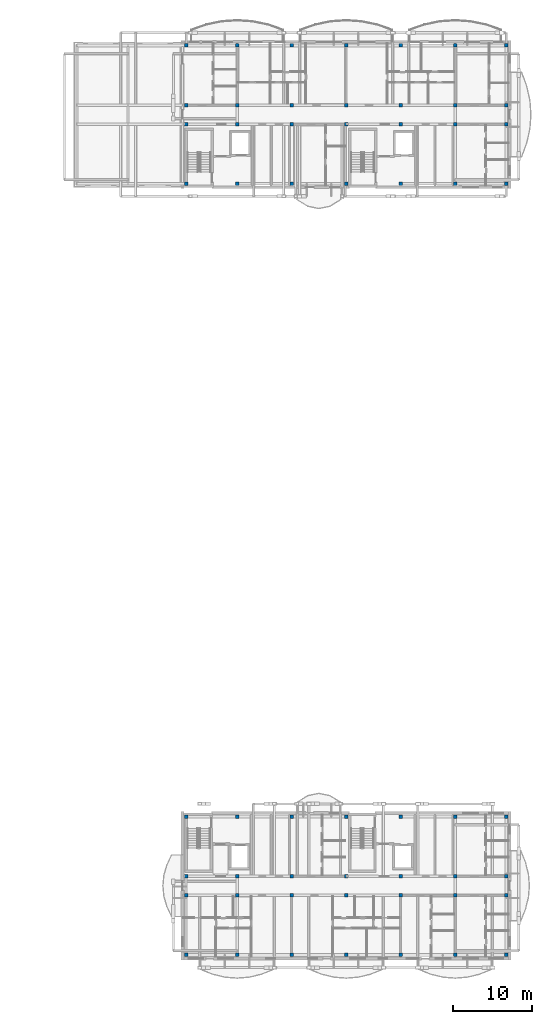
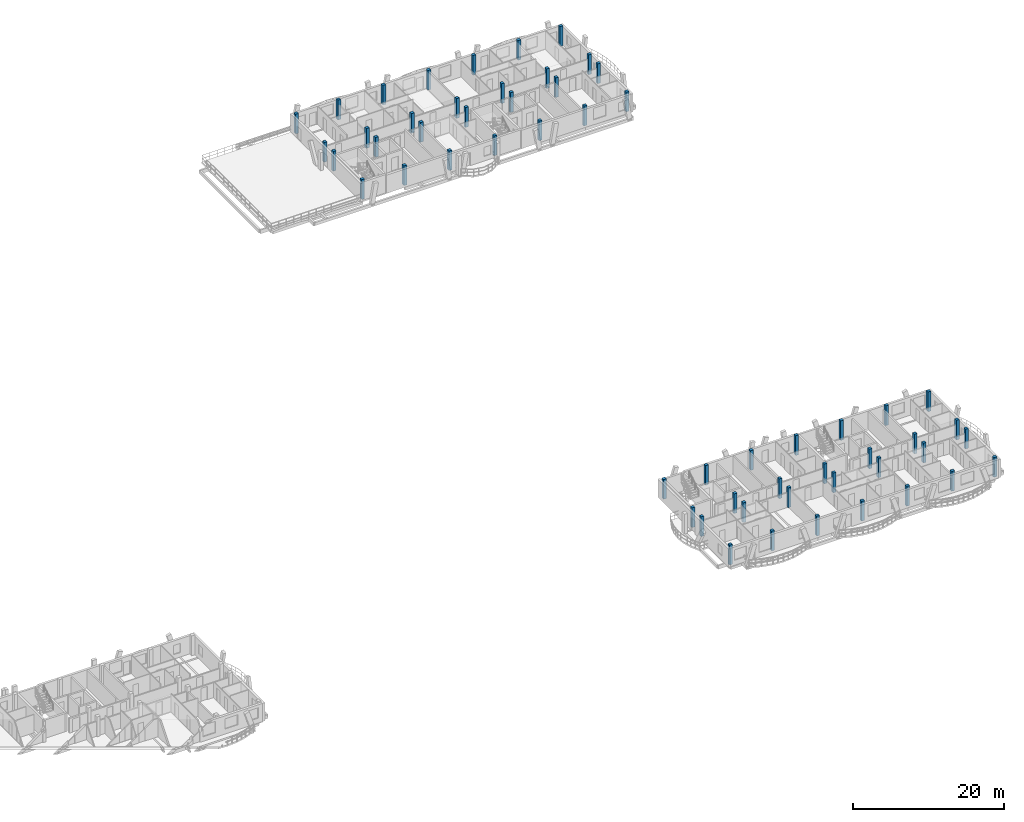
# One storey, part 2 of 44: 56 columns.
"""IFC4 building model written with IfcOpenShell, lengths in metres."""

from ifc_helpers import new_model, si_unit, direction, frame, origin, origin_2d, place, context, subcontext, project, spatial, rectangle, extrude, material, material_profile, profile_set, type_object, element, save


model = new_model("IFC4")

# Units and contexts
model_context = context("Model", 3, precision=1e-05, world=origin(), true_north=direction((0.0, 1.0)))
body_context = subcontext(model_context, "Body", "Model", "MODEL_VIEW")
ifc_project = project(units=[si_unit("LENGTHUNIT", "METRE"), si_unit("AREAUNIT", "SQUARE_METRE"), si_unit("VOLUMEUNIT", "CUBIC_METRE"), si_unit("PLANEANGLEUNIT", "RADIAN"), si_unit("MASSUNIT", "GRAM", prefix="KILO")], contexts=[model_context])

# Site, building, storey
site_placement = place(None, origin())
site = spatial("IfcSite", under=ifc_project, at=site_placement, CompositionType="ELEMENT")
building_placement = place(site_placement, origin())
building = spatial("IfcBuilding", under=site, at=building_placement, Name="Zavelmont Quarter", CompositionType="ELEMENT")
storey_placement = place(building_placement, frame((0.0, 0.0, 20.800048828125)))
storey = spatial("IfcBuildingStorey", under=building, at=storey_placement, Name="L06", CompositionType="ELEMENT", Elevation=20.800048828125)

# Columns
ifc_material = material(Name="Concrete C35/45", Category="concrete")
ifc_material_profile = material_profile(ifc_material, rectangle(XDim=0.449951171875, YDim=0.449951171875, at=origin_2d()), Name="RC450X450")
ifc_profile_set = profile_set([ifc_material_profile], Name="Concrete C35/45")
column_type = type_object("IfcColumnType", Name="CL04", PredefinedType="COLUMN", material=ifc_profile_set)
for number, where, z_axis, x_axis, name in (
    (1, (127.0400390625, 98.0400390625, 0.0), (0.0, 0.0, 1.0), (1.0, 0.0, 0.0), "L06 column CL04 at 19/P"),
    (2, (127.0400390625, 105.60009765625, 0.0), (0.0, 0.0, 1.0), (1.0, 0.0, 0.0), "L06 column CL04 at 19/Q"),
    (3, (127.0400390625, 108.0, 0.0), (0.0, 0.0, 1.0), (1.0, 0.0, 0.0), "L06 column CL04 at 19/R"),
    (4, (127.0400390625, 115.56005859375, 0.0), (0.0, 0.0, 1.0), (1.0, 0.0, 0.0), "L06 column CL04 at 19/S"),
    (5, (133.5, 98.0400390625, 0.0), (0.0, 0.0, 1.0), (1.0, 0.0, 0.0), "L06 column CL04 at 20/P"),
    (6, (133.5, 105.60009765625, 0.0), (0.0, 0.0, 1.0), (1.0, 0.0, 0.0), "L06 column CL04 at 20/Q"),
    (7, (133.5, 108.0, 0.0), (0.0, 0.0, 1.0), (1.0, 0.0, 0.0), "L06 column CL04 at 20/R"),
    (8, (133.5, 115.56005859375, 0.0), (0.0, 0.0, 1.0), (1.0, 0.0, 0.0), "L06 column CL04 at 20/S"),
    (9, (140.39990234375, 98.0400390625, 0.0), (0.0, 0.0, 1.0), (1.0, 0.0, 0.0), "L06 column CL04 at 21/P"),
    (10, (140.39990234375, 105.60009765625, 0.0), (0.0, 0.0, 1.0), (1.0, 0.0, 0.0), "L06 column CL04 at 21/Q"),
    (11, (140.39990234375, 108.0, 0.0), (0.0, 0.0, 1.0), (1.0, 0.0, 0.0), "L06 column CL04 at 21/R"),
    (12, (140.39990234375, 115.56005859375, 0.0), (0.0, 0.0, 1.0), (1.0, 0.0, 0.0), "L06 column CL04 at 21/S"),
    (13, (147.300048828125, 98.0400390625, 0.0), (0.0, 0.0, 1.0), (1.0, 0.0, 0.0), "L06 column CL04 at 22/P"),
    (14, (147.300048828125, 105.60009765625, 0.0), (0.0, 0.0, 1.0), (1.0, 0.0, 0.0), "L06 column CL04 at 22/Q"),
    (15, (147.300048828125, 108.0, 0.0), (0.0, 0.0, 1.0), (1.0, 0.0, 0.0), "L06 column CL04 at 22/R"),
    (16, (147.300048828125, 115.56005859375, 0.0), (0.0, 0.0, 1.0), (1.0, 0.0, 0.0), "L06 column CL04 at 22/S"),
    (17, (154.199951171875, 98.0400390625, 0.0), (0.0, 0.0, 1.0), (1.0, 0.0, 0.0), "L06 column CL04 at 23/P"),
    (18, (154.199951171875, 105.60009765625, 0.0), (0.0, 0.0, 1.0), (1.0, 0.0, 0.0), "L06 column CL04 at 23/Q"),
    (19, (154.199951171875, 108.0, 0.0), (0.0, 0.0, 1.0), (1.0, 0.0, 0.0), "L06 column CL04 at 23/R"),
    (20, (154.199951171875, 115.56005859375, 0.0), (0.0, 0.0, 1.0), (1.0, 0.0, 0.0), "L06 column CL04 at 23/S"),
    (21, (161.10009765625, 98.0400390625, 0.0), (0.0, 0.0, 1.0), (1.0, 0.0, 0.0), "L06 column CL04 at 24/P"),
    (22, (161.10009765625, 105.60009765625, 0.0), (0.0, 0.0, 1.0), (1.0, 0.0, 0.0), "L06 column CL04 at 24/Q"),
    (23, (161.10009765625, 108.0, 0.0), (0.0, 0.0, 1.0), (1.0, 0.0, 0.0), "L06 column CL04 at 24/R"),
    (24, (161.10009765625, 115.56005859375, 0.0), (0.0, 0.0, 1.0), (1.0, 0.0, 0.0), "L06 column CL04 at 24/S"),
    (25, (167.56005859375, 98.0400390625, 0.0), (0.0, 0.0, 1.0), (1.0, 0.0, 0.0), "L06 column CL04 at 25/P"),
    (26, (167.56005859375, 105.60009765625, 0.0), (0.0, 0.0, 1.0), (1.0, 0.0, 0.0), "L06 column CL04 at 25/Q"),
    (27, (167.56005859375, 108.0, 0.0), (0.0, 0.0, 1.0), (1.0, 0.0, 0.0), "L06 column CL04 at 25/R"),
    (28, (167.56005859375, 115.56005859375, 0.0), (0.0, 0.0, 1.0), (1.0, 0.0, 0.0), "L06 column CL04 at 25/S"),
    (29, (127.0400390625, 0.43994140625, 0.0), (0.0, 0.0, 1.0), (1.0, 0.0, 0.0), "L06 column CL04 at 19/A"),
    (30, (127.0400390625, 8.0, 0.0), (0.0, 0.0, 1.0), (1.0, 0.0, 0.0), "L06 column CL04 at 19/B"),
    (31, (127.0400390625, 10.39990234375, 0.0), (0.0, 0.0, 1.0), (1.0, 0.0, 0.0), "L06 column CL04 at 19/C"),
    (32, (127.0400390625, 17.9599609375, 0.0), (0.0, 0.0, 1.0), (1.0, 0.0, 0.0), "L06 column CL04 at 19/D"),
    (33, (133.5, 0.43994140625, 0.0), (0.0, 0.0, 1.0), (1.0, 0.0, 0.0), "L06 column CL04 at 20/A"),
    (34, (133.5, 8.0, 0.0), (0.0, 0.0, 1.0), (1.0, 0.0, 0.0), "L06 column CL04 at 20/B"),
    (35, (133.5, 10.39990234375, 0.0), (0.0, 0.0, 1.0), (1.0, 0.0, 0.0), "L06 column CL04 at 20/C"),
    (36, (133.5, 17.9599609375, 0.0), (0.0, 0.0, 1.0), (1.0, 0.0, 0.0), "L06 column CL04 at 20/D"),
    (37, (140.39990234375, 0.43994140625, 0.0), (0.0, 0.0, 1.0), (1.0, 0.0, 0.0), "L06 column CL04 at 21/A"),
    (38, (140.39990234375, 8.0, 0.0), (0.0, 0.0, 1.0), (1.0, 0.0, 0.0), "L06 column CL04 at 21/B"),
    (39, (140.39990234375, 10.39990234375, 0.0), (0.0, 0.0, 1.0), (1.0, 0.0, 0.0), "L06 column CL04 at 21/C"),
    (40, (140.39990234375, 17.9599609375, 0.0), (0.0, 0.0, 1.0), (1.0, 0.0, 0.0), "L06 column CL04 at 21/D"),
    (41, (147.300048828125, 0.43994140625, 0.0), (0.0, 0.0, 1.0), (1.0, 0.0, 0.0), "L06 column CL04 at 22/A"),
    (42, (147.300048828125, 8.0, 0.0), (0.0, 0.0, 1.0), (1.0, 0.0, 0.0), "L06 column CL04 at 22/B"),
    (43, (147.300048828125, 10.39990234375, 0.0), (0.0, 0.0, 1.0), (1.0, 0.0, 0.0), "L06 column CL04 at 22/C"),
    (44, (147.300048828125, 17.9599609375, 0.0), (0.0, 0.0, 1.0), (1.0, 0.0, 0.0), "L06 column CL04 at 22/D"),
    (45, (154.199951171875, 0.43994140625, 0.0), (0.0, 0.0, 1.0), (1.0, 0.0, 0.0), "L06 column CL04 at 23/A"),
    (46, (154.199951171875, 8.0, 0.0), (0.0, 0.0, 1.0), (1.0, 0.0, 0.0), "L06 column CL04 at 23/B"),
    (47, (154.199951171875, 10.39990234375, 0.0), (0.0, 0.0, 1.0), (1.0, 0.0, 0.0), "L06 column CL04 at 23/C"),
    (48, (154.199951171875, 17.9599609375, 0.0), (0.0, 0.0, 1.0), (1.0, 0.0, 0.0), "L06 column CL04 at 23/D"),
    (49, (161.10009765625, 0.43994140625, 0.0), (0.0, 0.0, 1.0), (1.0, 0.0, 0.0), "L06 column CL04 at 24/A"),
    (50, (161.10009765625, 8.0, 0.0), (0.0, 0.0, 1.0), (1.0, 0.0, 0.0), "L06 column CL04 at 24/B"),
    (51, (161.10009765625, 10.39990234375, 0.0), (0.0, 0.0, 1.0), (1.0, 0.0, 0.0), "L06 column CL04 at 24/C"),
    (52, (161.10009765625, 17.9599609375, 0.0), (0.0, 0.0, 1.0), (1.0, 0.0, 0.0), "L06 column CL04 at 24/D"),
    (53, (167.56005859375, 0.43994140625, 0.0), (0.0, 0.0, 1.0), (1.0, 0.0, 0.0), "L06 column CL04 at 25/A"),
    (54, (167.56005859375, 8.0, 0.0), (0.0, 0.0, 1.0), (1.0, 0.0, 0.0), "L06 column CL04 at 25/B"),
    (55, (167.56005859375, 10.39990234375, 0.0), (0.0, 0.0, 1.0), (1.0, 0.0, 0.0), "L06 column CL04 at 25/C"),
    (56, (167.56005859375, 17.9599609375, 0.0), (0.0, 0.0, 1.0), (1.0, 0.0, 0.0), "L06 column CL04 at 25/D"),
):
    element("IfcColumn", number, at=place(storey_placement, frame(where, z_axis=z_axis, x_axis=x_axis)), inside=storey, type_object=column_type, Name=name, PredefinedType="COLUMN", context=body_context, shape_type="SweptSolid", body=[
        extrude(rectangle(XDim=0.449951171875, YDim=0.449951171875, at=origin_2d()), origin(), (0.0, 0.0, 1.0), 3.199951171875),
    ])

save(model, "model.ifc")
